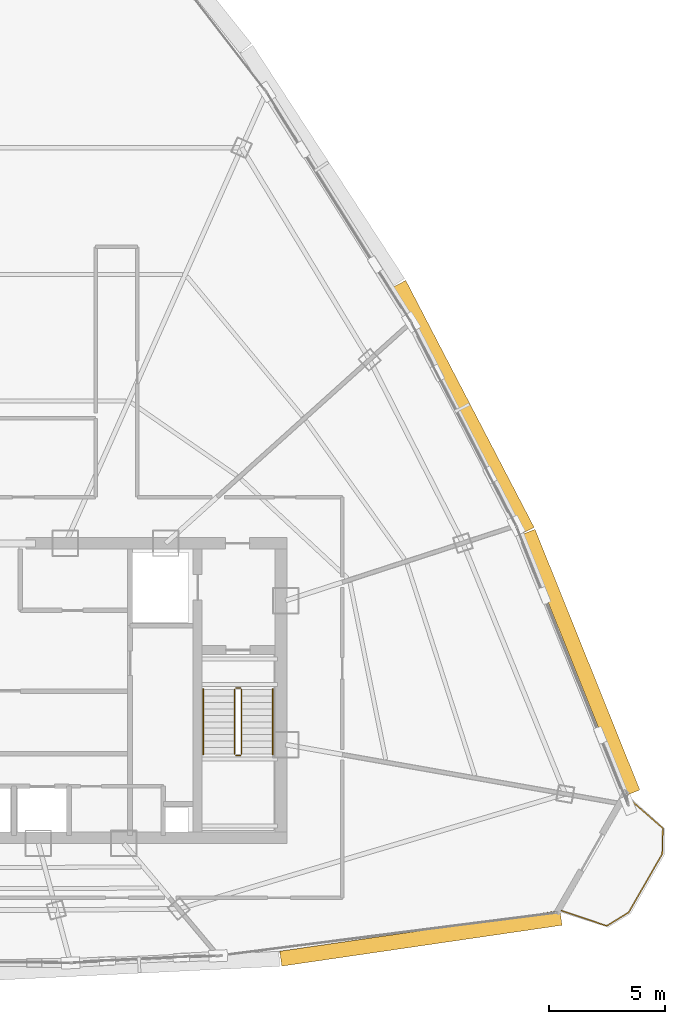
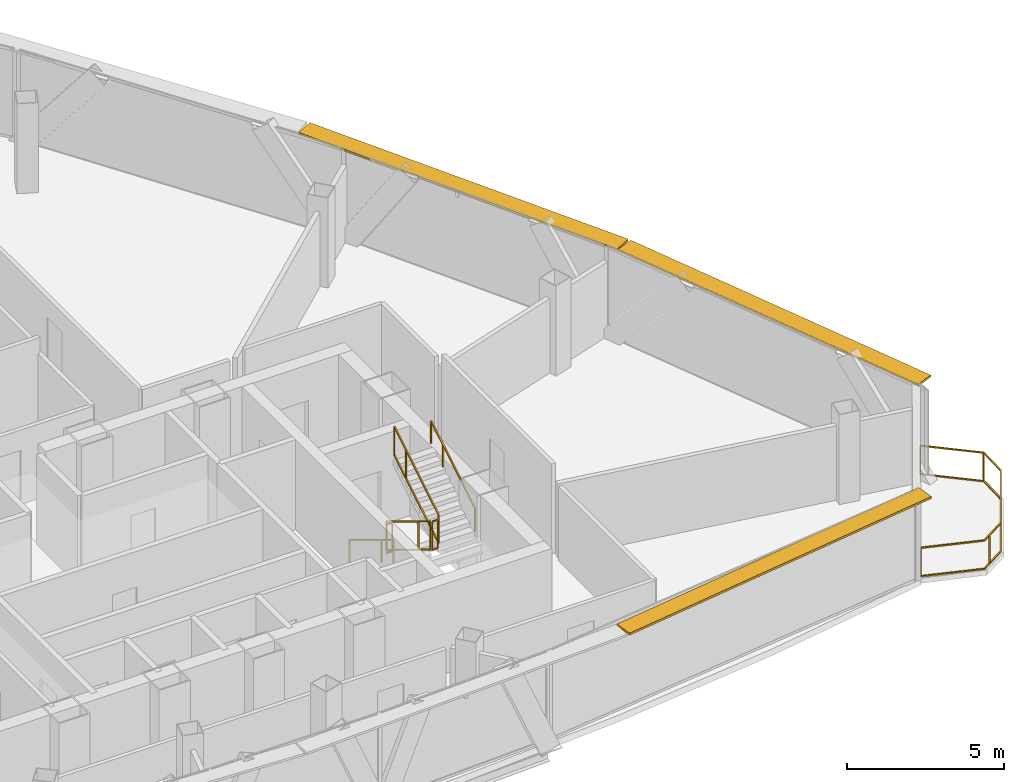
# One storey, part 29 of 30: 7 railings, 3 shading devices.
"""IFC4 building model written with IfcOpenShell, lengths in metres."""

from ifc_helpers import new_model, si_unit, direction, frame, origin, origin_2d, place, context, subcontext, project, spatial, rectangle, extrude, source, transform, mapped, material, layer, layer_set, type_object, element, save


model = new_model("IFC4")

# Units and contexts
model_context = context("Model", 3, precision=1e-05, world=origin(), true_north=direction((0.0, 1.0)))
body_context = subcontext(model_context, "Body", "Model", "MODEL_VIEW")
ifc_project = project(units=[si_unit("LENGTHUNIT", "METRE"), si_unit("AREAUNIT", "SQUARE_METRE"), si_unit("VOLUMEUNIT", "CUBIC_METRE"), si_unit("PLANEANGLEUNIT", "RADIAN"), si_unit("MASSUNIT", "GRAM", prefix="KILO"), si_unit("THERMODYNAMICTEMPERATUREUNIT", "KELVIN"), si_unit("POWERUNIT", "WATT")], contexts=[model_context])

# Site, building, storey
site_placement = place(None, origin())
site = spatial("IfcSite", under=ifc_project, at=site_placement, CompositionType="ELEMENT")
building_placement = place(site_placement, origin())
building = spatial("IfcBuilding", under=site, at=building_placement, Name="Yunzhuo Pagoda Commons", CompositionType="ELEMENT")
storey_placement = place(building_placement, frame((0.0, 0.0, 351.760009765625)))
storey = spatial("IfcBuildingStorey", under=building, at=storey_placement, Name="L88", CompositionType="ELEMENT", Elevation=351.760009765625)

# Railings
ifc_material = material(Name="Anodized aluminium 6063-T6", Category="aluminium")
railing_type_1 = type_object("IfcRailingType", Name="GR-ST2 Stair Well Guardrail 1160", PredefinedType="GUARDRAIL", material=ifc_material)
railing_1_placement = place(storey_placement, frame((58.199951171875, 33.89990234375, 0.17041015625)))
element("IfcRailing", 1, at=railing_1_placement, inside=storey, type_object=railing_type_1, Name="L88 ST2 stair guard 1", PredefinedType="GUARDRAIL", context=body_context, shape_type="SweptSolid", body=[
    extrude(rectangle(XDim=0.048095703125, YDim=0.048095703125, at=origin_2d()), frame((0.0, 0.0, 1.1259765625), z_axis=(0.0, -0.854149651119, 0.520027281489), x_axis=(1.0, 0.0, 0.0)), (0.0, 0.0, 1.0), 3.27783203125),
    extrude(rectangle(XDim=0.048095703125, YDim=0.048095703125, at=origin_2d()), frame((0.0, 0.0, 0.02392578125), z_axis=(0.0, -0.854149651119, 0.520027281489), x_axis=(1.0, 0.0, 0.0)), (0.0, 0.0, 1.0), 3.27783203125),
    extrude(rectangle(XDim=0.0419921875, YDim=0.0419921875, at=origin_2d()), origin(), (0.0, 0.0, 1.0), 1.101806640625),
    extrude(rectangle(XDim=0.0419921875, YDim=0.0419921875, at=origin_2d()), frame((0.0, -2.050048828125, 1.248046875)), (0.0, 0.0, 1.0), 1.101806640625),
    extrude(rectangle(XDim=0.0419921875, YDim=0.0419921875, at=origin_2d()), frame((0.0, -2.7998046875, 1.70458984375)), (0.0, 0.0, 1.0), 1.101806640625),
])
railing_2_placement = place(storey_placement, frame((58.25, 31.050048828125, 1.875)))
element("IfcRailing", 2, at=railing_2_placement, inside=storey, type_object=railing_type_1, Name="L88 ST2 stair guard 2", PredefinedType="GUARDRAIL", context=body_context, shape_type="SweptSolid", body=[
    extrude(rectangle(XDim=0.048095703125, YDim=0.048095703125, at=origin_2d()), frame((0.0, 0.0, 1.1259765625), z_axis=(1.0, 0.0, 0.0), x_axis=(0.0, 1.0, 0.0)), (0.0, 0.0, 1.0), 0.199951171875),
    extrude(rectangle(XDim=0.048095703125, YDim=0.048095703125, at=origin_2d()), frame((0.0, 0.0, 0.02392578125), z_axis=(1.0, 0.0, 0.0), x_axis=(0.0, 1.0, 0.0)), (0.0, 0.0, 1.0), 0.199951171875),
    extrude(rectangle(XDim=0.0419921875, YDim=0.0419921875, at=origin_2d()), origin(), (0.0, 0.0, 1.0), 1.101806640625),
    extrude(rectangle(XDim=0.0419921875, YDim=0.0419921875, at=origin_2d()), frame((0.199951171875, 0.0, 0.0)), (0.0, 0.0, 1.0), 1.101806640625),
])
railing_3_placement = place(storey_placement, frame((58.5, 31.10009765625, 2.04541015625)))
element("IfcRailing", 3, at=railing_3_placement, inside=storey, type_object=railing_type_1, Name="L88 ST2 stair guard 3", PredefinedType="GUARDRAIL", context=body_context, shape_type="SweptSolid", body=[
    extrude(rectangle(XDim=0.048095703125, YDim=0.048095703125, at=origin_2d()), frame((0.0, 0.0, 1.1259765625), z_axis=(0.0, 0.854149651119, 0.520027281489), x_axis=(-1.0, 0.0, 0.0)), (0.0, 0.0, 1.0), 3.27783203125),
    extrude(rectangle(XDim=0.048095703125, YDim=0.048095703125, at=origin_2d()), frame((0.0, 0.0, 0.02392578125), z_axis=(0.0, 0.854149651119, 0.520027281489), x_axis=(-1.0, 0.0, 0.0)), (0.0, 0.0, 1.0), 3.27783203125),
    extrude(rectangle(XDim=0.0419921875, YDim=0.0419921875, at=origin_2d()), origin(), (0.0, 0.0, 1.0), 1.101806640625),
    extrude(rectangle(XDim=0.0419921875, YDim=0.0419921875, at=origin_2d()), frame((0.0, 2.050048828125, 1.248046875)), (0.0, 0.0, 1.0), 1.101806640625),
    extrude(rectangle(XDim=0.0419921875, YDim=0.0419921875, at=origin_2d()), frame((0.0, 2.7998046875, 1.70458984375)), (0.0, 0.0, 1.0), 1.101806640625),
])
railing_4_placement = place(storey_placement, frame((58.25, 33.949951171875, 0.0)))
element("IfcRailing", 4, at=railing_4_placement, inside=storey, type_object=railing_type_1, Name="L88 ST2 stair guard 4", PredefinedType="GUARDRAIL", context=body_context, shape_type="SweptSolid", body=[
    extrude(rectangle(XDim=0.048095703125, YDim=0.048095703125, at=origin_2d()), frame((0.0, 0.0, 1.1259765625), z_axis=(1.0, 0.0, 0.0), x_axis=(0.0, 1.0, 0.0)), (0.0, 0.0, 1.0), 0.199951171875),
    extrude(rectangle(XDim=0.048095703125, YDim=0.048095703125, at=origin_2d()), frame((0.0, 0.0, 0.02392578125), z_axis=(1.0, 0.0, 0.0), x_axis=(0.0, 1.0, 0.0)), (0.0, 0.0, 1.0), 0.199951171875),
    extrude(rectangle(XDim=0.0419921875, YDim=0.0419921875, at=origin_2d()), origin(), (0.0, 0.0, 1.0), 1.101806640625),
    extrude(rectangle(XDim=0.0419921875, YDim=0.0419921875, at=origin_2d()), frame((0.199951171875, 0.0, 0.0)), (0.0, 0.0, 1.0), 1.101806640625),
])
railing_type_2 = type_object("IfcRailingType", Name="HR-ST2 Stair Handrail 900", PredefinedType="HANDRAIL", material=ifc_material)
railing_5_placement = place(storey_placement, frame((56.85009765625, 33.89990234375, 0.17041015625)))
element("IfcRailing", 5, at=railing_5_placement, inside=storey, type_object=railing_type_2, Name="L88 ST2 stair handrail 1", PredefinedType="HANDRAIL", context=body_context, shape_type="SweptSolid", body=[
    extrude(rectangle(XDim=0.048095703125, YDim=0.048095703125, at=origin_2d()), frame((0.0, 0.0, 0.8759765625), z_axis=(0.0, -0.854149651119, 0.520027281489), x_axis=(1.0, 0.0, 0.0)), (0.0, 0.0, 1.0), 3.27783203125),
    extrude(rectangle(XDim=0.0419921875, YDim=0.0419921875, at=origin_2d()), origin(), (0.0, 0.0, 1.0), 0.851806640625),
    extrude(rectangle(XDim=0.0419921875, YDim=0.0419921875, at=origin_2d()), frame((0.0, -2.050048828125, 1.248046875)), (0.0, 0.0, 1.0), 0.851806640625),
    extrude(rectangle(XDim=0.0419921875, YDim=0.0419921875, at=origin_2d()), frame((0.0, -2.7998046875, 1.70458984375)), (0.0, 0.0, 1.0), 0.851806640625),
])
railing_6_placement = place(storey_placement, frame((59.85009765625, 31.10009765625, 2.04541015625)))
element("IfcRailing", 6, at=railing_6_placement, inside=storey, type_object=railing_type_2, Name="L88 ST2 stair handrail 2", PredefinedType="HANDRAIL", context=body_context, shape_type="SweptSolid", body=[
    extrude(rectangle(XDim=0.048095703125, YDim=0.048095703125, at=origin_2d()), frame((0.0, 0.0, 0.8759765625), z_axis=(0.0, 0.854149651119, 0.520027281489), x_axis=(-1.0, 0.0, 0.0)), (0.0, 0.0, 1.0), 3.27783203125),
    extrude(rectangle(XDim=0.0419921875, YDim=0.0419921875, at=origin_2d()), origin(), (0.0, 0.0, 1.0), 0.851806640625),
    extrude(rectangle(XDim=0.0419921875, YDim=0.0419921875, at=origin_2d()), frame((0.0, 2.050048828125, 1.248046875)), (0.0, 0.0, 1.0), 0.851806640625),
    extrude(rectangle(XDim=0.0419921875, YDim=0.0419921875, at=origin_2d()), frame((0.0, 2.7998046875, 1.70458984375)), (0.0, 0.0, 1.0), 0.851806640625),
])
railing_type_3 = type_object("IfcRailingType", Name="RL-BAL1 Exterior Terrace & Balcony Balustrade 1150", PredefinedType="BALUSTRADE", material=ifc_material)
railing_7_placement = place(storey_placement, frame((72.31298828125, 24.346435546875, 0.0)))
element("IfcRailing", 7, at=railing_7_placement, inside=storey, type_object=railing_type_3, Name="L88 corner balcony balustrade V2", PredefinedType="BALUSTRADE", context=body_context, shape_type="SweptSolid", body=[
    extrude(rectangle(XDim=0.048095703125, YDim=0.048095703125, at=origin_2d()), frame((0.0, 0.0, 1.1259765625), z_axis=(0.947419062147, -0.319995501031, 0.0), x_axis=(0.319995501031, 0.947419062147, 0.0)), (0.0, 0.0, 1.0), 2.05908203125),
    extrude(rectangle(XDim=0.048095703125, YDim=0.048095703125, at=origin_2d()), frame((0.0, 0.0, 0.02392578125), z_axis=(0.947419062147, -0.319995501031, 0.0), x_axis=(0.319995501031, 0.947419062147, 0.0)), (0.0, 0.0, 1.0), 2.05908203125),
    extrude(rectangle(XDim=0.048095703125, YDim=0.048095703125, at=origin_2d()), frame((1.950927734375, -0.658935546875, 1.1259765625), z_axis=(0.851499755437, 0.524355000444, 0.0), x_axis=(-0.524355000444, 0.851499755437, 0.0)), (0.0, 0.0, 1.0), 1.1103515625),
    extrude(rectangle(XDim=0.048095703125, YDim=0.048095703125, at=origin_2d()), frame((1.950927734375, -0.658935546875, 0.02392578125), z_axis=(0.851499755437, 0.524355000444, 0.0), x_axis=(-0.524355000444, 0.851499755437, 0.0)), (0.0, 0.0, 1.0), 1.1103515625),
    extrude(rectangle(XDim=0.048095703125, YDim=0.048095703125, at=origin_2d()), frame((2.896484375, -0.07666015625, 1.1259765625), z_axis=(0.497899056357, 0.867234991037, 0.0), x_axis=(-0.867234991037, 0.497899056357, 0.0)), (0.0, 0.0, 1.0), 2.9111328125),
    extrude(rectangle(XDim=0.048095703125, YDim=0.048095703125, at=origin_2d()), frame((2.896484375, -0.07666015625, 0.02392578125), z_axis=(0.497899056357, 0.867234991037, 0.0), x_axis=(-0.867234991037, 0.497899056357, 0.0)), (0.0, 0.0, 1.0), 2.9111328125),
    extrude(rectangle(XDim=0.048095703125, YDim=0.048095703125, at=origin_2d()), frame((4.345947265625, 2.447998046875, 1.1259765625), z_axis=(0.023750447686, 0.999717918332, 0.0), x_axis=(-0.999717918332, 0.023750447686, 0.0)), (0.0, 0.0, 1.0), 1.110107421875),
    extrude(rectangle(XDim=0.048095703125, YDim=0.048095703125, at=origin_2d()), frame((4.345947265625, 2.447998046875, 0.02392578125), z_axis=(0.023750447686, 0.999717918332, 0.0), x_axis=(-0.999717918332, 0.023750447686, 0.0)), (0.0, 0.0, 1.0), 1.110107421875),
    extrude(rectangle(XDim=0.048095703125, YDim=0.048095703125, at=origin_2d()), frame((4.372314453125, 3.557861328125, 1.1259765625), z_axis=(-0.753984993137, 0.656891642605, 0.0), x_axis=(-0.656891642605, -0.753984993137, 0.0)), (0.0, 0.0, 1.0), 2.059326171875),
    extrude(rectangle(XDim=0.048095703125, YDim=0.048095703125, at=origin_2d()), frame((4.372314453125, 3.557861328125, 0.02392578125), z_axis=(-0.753984993137, 0.656891642605, 0.0), x_axis=(-0.656891642605, -0.753984993137, 0.0)), (0.0, 0.0, 1.0), 2.059326171875),
    extrude(rectangle(XDim=0.0419921875, YDim=0.0419921875, at=origin_2d()), origin(), (0.0, 0.0, 1.0), 1.101806640625),
    extrude(rectangle(XDim=0.0419921875, YDim=0.0419921875, at=origin_2d()), frame((2.2412109375, -0.480224609375, 0.0)), (0.0, 0.0, 1.0), 1.101806640625),
    extrude(rectangle(XDim=0.0419921875, YDim=0.0419921875, at=origin_2d()), frame((3.708251953125, 1.337158203125, 0.0)), (0.0, 0.0, 1.0), 1.101806640625),
    extrude(rectangle(XDim=0.0419921875, YDim=0.0419921875, at=origin_2d()), frame((4.365478515625, 3.563720703125, 0.0)), (0.0, 0.0, 1.0), 1.101806640625),
    extrude(rectangle(XDim=0.0419921875, YDim=0.0419921875, at=origin_2d()), frame((2.819580078125, 4.91064453125, 0.0)), (0.0, 0.0, 1.0), 1.101806640625),
])

# Shading devices
ifc_layer = layer(ifc_material, 0.080078125)
ifc_layer_set = layer_set([ifc_layer], Name="Anodized aluminium 6063-T6")
shading_device_type = type_object("IfcShadingDeviceType", Name="SH-SUN1 Pagoda Horizontal Sunshade Eave 650", PredefinedType="USERDEFINED", material=ifc_layer_set)
shared_shape_1 = source(origin(), body_context, "Body", "SweptSolid", [
    extrude(rectangle(XDim=12.22509765625, YDim=0.64990234375, at=origin_2d()), origin(), (0.0, 0.0, 1.0), 0.080078125),
])
shading_device_1_placement = place(storey_placement, frame((66.239501953125, 23.15380859375, 3.409912109375), z_axis=(0.0, 0.0, 1.0), x_axis=(0.989510666697, 0.144459823108, 0.0)))
element("IfcShadingDevice", 8, at=shading_device_1_placement, inside=storey, type_object=shading_device_type, Name="L88 horizontal pagoda sunshade eave F1.4", ObjectType="SUNSHADE", PredefinedType="USERDEFINED", context=body_context, shape_type="MappedRepresentation", body=[
    mapped(shared_shape_1, transform((0.0, 0.0, 0.0), scale=1.0)),
])
shared_shape_2 = source(origin(), body_context, "Body", "SweptSolid", [
    extrude(rectangle(XDim=12.126953125, YDim=0.64990234375, at=origin_2d()), origin(), (0.0, 0.0, 1.0), 0.080078125),
])
shading_device_2_placement = place(storey_placement, frame((73.1259765625, 35.060302734375, 3.409912109375), z_axis=(0.0, 0.0, 1.0), x_axis=(-0.373003976317, 0.927829743893, 0.0)))
element("IfcShadingDevice", 9, at=shading_device_2_placement, inside=storey, type_object=shading_device_type, Name="L88 horizontal pagoda sunshade eave F2.1", ObjectType="SUNSHADE", PredefinedType="USERDEFINED", context=body_context, shape_type="MappedRepresentation", body=[
    mapped(shared_shape_2, transform((0.0, 0.0, 0.0), scale=1.0)),
])
shared_shape_3 = source(origin(), body_context, "Body", "SweptSolid", [
    extrude(rectangle(XDim=12.01171875, YDim=0.64990234375, at=origin_2d()), origin(), (0.0, 0.0, 1.0), 0.080078125),
])
shading_device_3_placement = place(storey_placement, frame((68.068115234375, 46.07275390625, 3.409912109375), z_axis=(0.0, 0.0, 1.0), x_axis=(-0.461191196783, 0.88730078328, 0.0)))
element("IfcShadingDevice", 10, at=shading_device_3_placement, inside=storey, type_object=shading_device_type, Name="L88 horizontal pagoda sunshade eave F2.2", ObjectType="SUNSHADE", PredefinedType="USERDEFINED", context=body_context, shape_type="MappedRepresentation", body=[
    mapped(shared_shape_3, transform((0.0, 0.0, 0.0), scale=1.0)),
])

save(model, "model.ifc")
